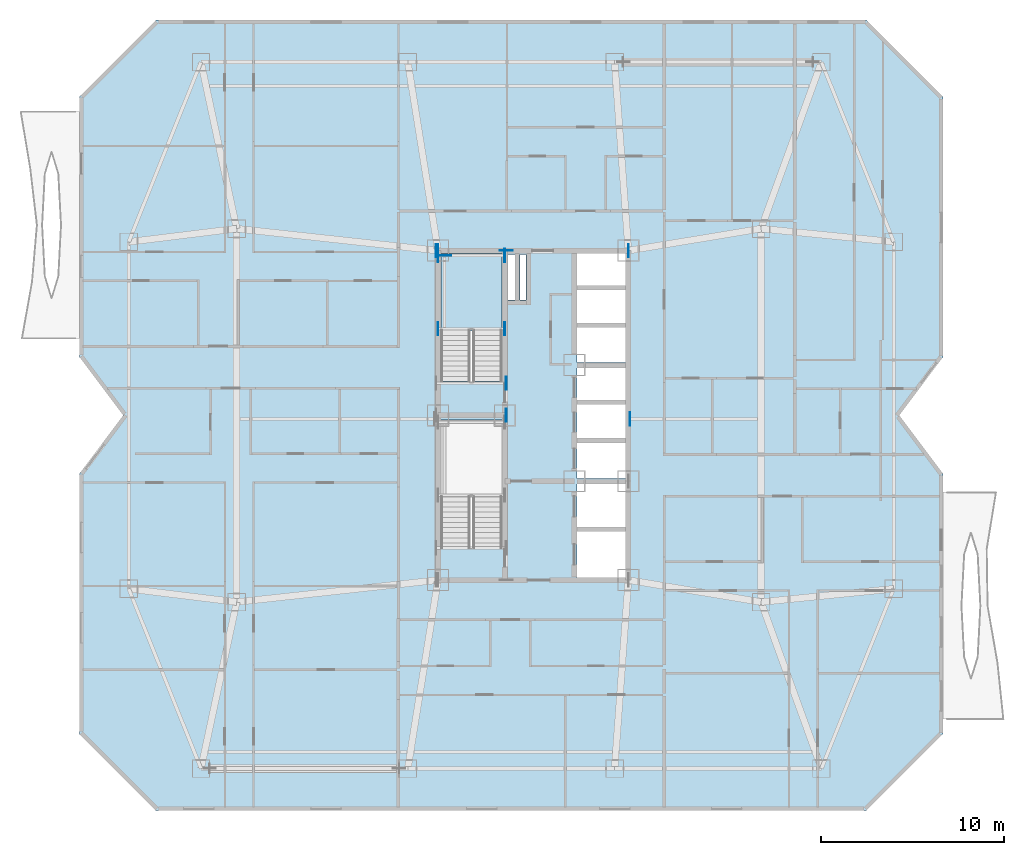
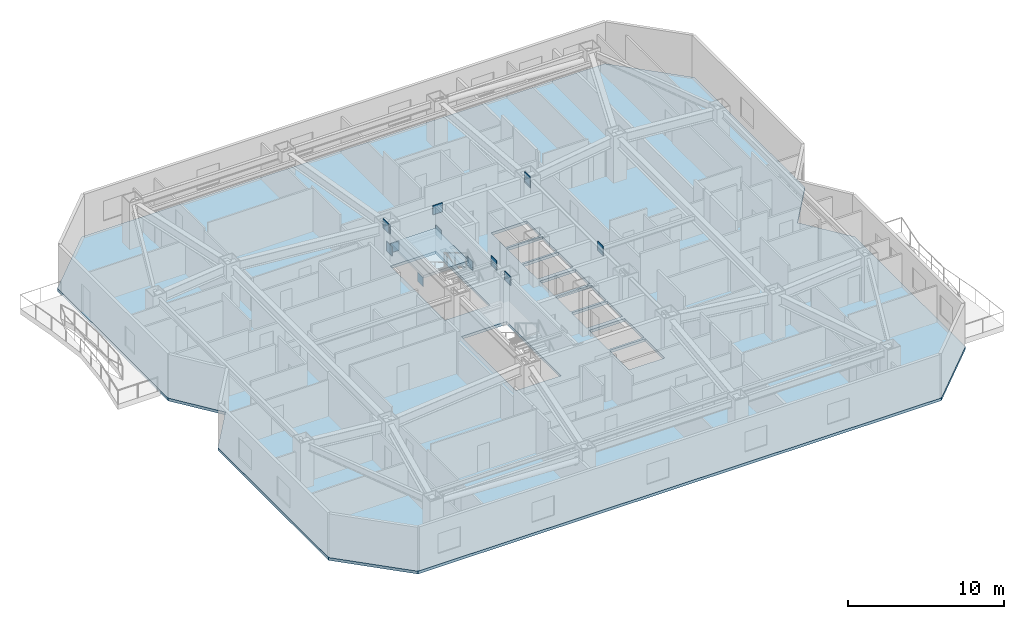
# One storey, part 3 of 14: 13 plates, 2 slabs, 1 element without a shape of its own.
"""IFC4 building model written with IfcOpenShell, lengths in metres."""

import ifcopenshell
import ifcopenshell.guid

model = None  # the IFC model being written
_history = None  # IfcOwnerHistory: only IFC2X3 demands one
_inside = {}  # id of a spatial element -> (the spatial element, [elements in it])
_under = {}  # id of a project, library or spatial element -> (it, [spatial elements below it])
_declared = {}  # id of a project -> (the project, [libraries it declares])
_typed = {}  # id of a type object -> (the type object, [elements of that type])
_made_of = {}  # id of a material, layer set ... -> (it, [elements and type objects made of it])


def new_model(schema):
    """Start an empty IFC model of exactly this schema.

    Asked for "IFC4X3", IfcOpenShell would pick the latest addendum, in which some entities
    have other attributes; the version numbers below select the first issue.
    IFC2X3 requires an IfcOwnerHistory on every rooted entity: one is made here for all.
    """
    global model, _history
    if schema == "IFC4X3":
        model = ifcopenshell.file(schema_version=(4, 3, 0, 0))
    else:
        model = ifcopenshell.file(schema=schema)
    _inside.clear()
    _under.clear()
    _declared.clear()
    _typed.clear()
    _made_of.clear()
    _history = None
    if model.schema == "IFC2X3":
        org = make("IfcOrganization", Name="unknown")
        user = make(
            "IfcPersonAndOrganization",
            ThePerson=make("IfcPerson", FamilyName="unknown"),
            TheOrganization=org,
        )
        app = make(
            "IfcApplication",
            ApplicationDeveloper=org,
            Version="unknown",
            ApplicationFullName="unknown",
            ApplicationIdentifier="unknown",
        )
        _history = make(
            "IfcOwnerHistory",
            OwningUser=user,
            OwningApplication=app,
            ChangeAction="ADDED",
            CreationDate=0,
        )
    return model


def make(cls, **values):
    """One entity of the class cls with the attributes given. An attribute that is None is left unset."""
    return model.create_entity(
        cls, **{name: value for name, value in values.items() if value is not None}
    )


def rooted(cls, **values):
    """An entity with a GlobalId (a new one), such as an element, a storey or a relation."""
    return make(cls, GlobalId=ifcopenshell.guid.new(), OwnerHistory=_history, **values)


def si_unit(unit_type, name, prefix=None):
    """IfcSIUnit, for example si_unit("LENGTHUNIT", "METRE", prefix="MILLI")."""
    return make("IfcSIUnit", UnitType=unit_type, Prefix=prefix, Name=name)


def assignment(units):
    """IfcUnitAssignment: the units of a project."""
    return None if units is None else make("IfcUnitAssignment", Units=units)


def point(xyz):
    """IfcCartesianPoint."""
    return None if xyz is None else make("IfcCartesianPoint", Coordinates=xyz)


def direction(xyz):
    """IfcDirection."""
    return None if xyz is None else make("IfcDirection", DirectionRatios=xyz)


def frame(location, z_axis=None, x_axis=None):
    """IfcAxis2Placement3D, a coordinate frame: its origin and axes. An axis left out is left unset."""
    return make(
        "IfcAxis2Placement3D",
        Location=point(location),
        Axis=direction(z_axis),
        RefDirection=direction(x_axis),
    )


def frame_2d(location, x_axis=None):
    """IfcAxis2Placement2D, a coordinate frame in the plane: its origin and x axis."""
    return make(
        "IfcAxis2Placement2D", Location=point(location), RefDirection=direction(x_axis)
    )


def origin():
    """The frame at (0, 0, 0) with its axes left unset."""
    return frame((0.0, 0.0, 0.0))


def origin_2d():
    """The frame at (0, 0) in the plane with its x axis left unset."""
    return frame_2d((0.0, 0.0))


def place(relative_to, where):
    """IfcLocalPlacement: puts the frame where relative to a parent placement (None: the world)."""
    return make(
        "IfcLocalPlacement", PlacementRelTo=relative_to, RelativePlacement=where
    )


def context(
    kind, dimensions, precision=None, world=None, true_north=None, identifier=None
):
    """IfcGeometricRepresentationContext, for example the 3D "Model" context."""
    return make(
        "IfcGeometricRepresentationContext",
        ContextIdentifier=identifier,
        ContextType=kind,
        CoordinateSpaceDimension=dimensions,
        Precision=precision,
        WorldCoordinateSystem=world,
        TrueNorth=true_north,
    )


def subcontext(parent, identifier, kind, view, scale=None):
    """IfcGeometricRepresentationSubContext, for example "Body" below "Model"."""
    return make(
        "IfcGeometricRepresentationSubContext",
        ContextIdentifier=identifier,
        ContextType=kind,
        ParentContext=parent,
        TargetScale=scale,
        TargetView=view,
    )


def project(units=None, contexts=None):
    """IfcProject with its units and contexts."""
    return rooted(
        "IfcProject",
        Name="project",
        RepresentationContexts=contexts,
        UnitsInContext=assignment(units),
    )


def spatial(cls, under=None, at=None, **own):
    """A site, building, storey or space (cls), placed at a placement, below another one or the project."""
    s = rooted(cls, ObjectPlacement=at, **own)
    if under is not None:
        _under.setdefault(under.id(), (under, []))[1].append(s)
    return s


def polyline(points):
    """IfcPolyline through the points."""
    return make("IfcPolyline", Points=[point(p) for p in points])


def profile(cls, at=None, kind="AREA", **sizes):
    """A parametric profile (cls). Its sizes go by their IFC names, for example OverallWidth=200.0."""
    return make(cls, ProfileType=kind, Position=at, **sizes)


def rectangle(**sizes):
    """IfcRectangleProfileDef."""
    return profile("IfcRectangleProfileDef", **sizes)


def outline(outer, holes=None, kind="AREA"):
    """IfcArbitraryClosedProfileDef: a profile drawn as a closed curve; with holes, ...WithVoids."""
    if holes is None:
        return make("IfcArbitraryClosedProfileDef", ProfileType=kind, OuterCurve=outer)
    return make(
        "IfcArbitraryProfileDefWithVoids",
        ProfileType=kind,
        OuterCurve=outer,
        InnerCurves=holes,
    )


def extrude(swept, where, along, depth):
    """IfcExtrudedAreaSolid: the profile swept, set in the frame where, extruded along a direction by depth."""
    return make(
        "IfcExtrudedAreaSolid",
        SweptArea=swept,
        Position=where,
        ExtrudedDirection=direction(along),
        Depth=depth,
    )


def shape(context_of_items, identifier, shape_type, items):
    """IfcShapeRepresentation: the items that make up one representation, for example the "Body"."""
    return make(
        "IfcShapeRepresentation",
        ContextOfItems=context_of_items,
        RepresentationIdentifier=identifier,
        RepresentationType=shape_type,
        Items=items,
    )


def material(Name=None, Category=None):
    """IfcMaterial."""
    return make("IfcMaterial", Name=Name, Category=Category)


def layer(
    of_material, thickness, ventilated=None, Name=None, Category=None, Priority=None
):
    """IfcMaterialLayer: one layer of a wall or slab, of a material (None: an air gap)."""
    return make(
        "IfcMaterialLayer",
        Material=of_material,
        LayerThickness=thickness,
        IsVentilated=ventilated,
        Name=Name,
        Category=Category,
        Priority=Priority,
    )


def layer_set(layers, Name=None):
    """IfcMaterialLayerSet."""
    return make("IfcMaterialLayerSet", MaterialLayers=layers, LayerSetName=Name)


def made_of(thing, what):
    """Note that an element or type object is made of a material, layer set ...; save() writes the relation."""
    if what is not None:
        _made_of.setdefault(what.id(), (what, []))[1].append(thing)
    return thing


def type_object(cls, material=None, **own):
    """A type object (cls), such as IfcWallType, which elements share."""
    return made_of(rooted(cls, **own), material)


def element(
    cls,
    number,
    at=None,
    inside=None,
    cuts=None,
    type_object=None,
    material=None,
    context=None,
    identifier="Body",
    shape_type=None,
    held_by="IfcProductDefinitionShape",
    body=None,
    shapes=None,
    **own,
):
    """One element of the class cls, such as IfcWall. Its Tag is "e" and its number.

    at: its placement. inside: the storey or other place that contains it. cuts: it is an
    opening in that element (IfcRelVoidsElement). A single representation is given by context,
    identifier, shape_type and body (its items); several are given by shapes. held_by: the class
    of the entity that holds the representations. save() writes the other relations.
    """
    e = rooted(cls, Tag="e%d" % number, ObjectPlacement=at, **own)
    if body is not None:
        shapes = [shape(context, identifier, shape_type, body)]
    if shapes is not None:
        e.Representation = make(held_by, Representations=shapes)
    if inside is not None:
        _inside.setdefault(inside.id(), (inside, []))[1].append(e)
    if cuts is not None:
        rooted(
            "IfcRelVoidsElement", RelatingBuildingElement=cuts, RelatedOpeningElement=e
        )
    if type_object is not None:
        _typed.setdefault(type_object.id(), (type_object, []))[1].append(e)
    return made_of(e, material)


def aggregate(whole, parts):
    """IfcRelAggregates: a whole, such as a stair, and the parts it consists of."""
    return rooted("IfcRelAggregates", RelatingObject=whole, RelatedObjects=parts)


def save(model, path):
    """Write the relations noted so far, then the file.

    IfcRelAggregates (storeys below a building ...), IfcRelContainedInSpatialStructure (elements
    in a storey), IfcRelDefinesByType, IfcRelAssociatesMaterial and IfcRelDeclares: one each for
    every whole, place, type object, material and project.
    """
    for whole, parts in _under.values():
        aggregate(whole, parts)
    for where, things in _inside.values():
        rooted(
            "IfcRelContainedInSpatialStructure",
            RelatedElements=things,
            RelatingStructure=where,
        )
    for kind, things in _typed.values():
        rooted("IfcRelDefinesByType", RelatedObjects=things, RelatingType=kind)
    for what, things in _made_of.values():
        rooted("IfcRelAssociatesMaterial", RelatedObjects=things, RelatingMaterial=what)
    for by, libraries in _declared.values():
        rooted("IfcRelDeclares", RelatingContext=by, RelatedDefinitions=libraries)
    model.write(path)


model = new_model("IFC4")

# Units and contexts
model_context = context("Model", 3, precision=1e-05, world=origin(), true_north=direction((0.0, 1.0)))
body_context = subcontext(model_context, "Body", "Model", "MODEL_VIEW")
ifc_project = project(units=[si_unit("LENGTHUNIT", "METRE"), si_unit("AREAUNIT", "SQUARE_METRE"), si_unit("VOLUMEUNIT", "CUBIC_METRE"), si_unit("PLANEANGLEUNIT", "RADIAN"), si_unit("MASSUNIT", "GRAM", prefix="KILO")], contexts=[model_context])

# Site, building, storey
site_placement = place(None, origin())
site = spatial("IfcSite", under=ifc_project, at=site_placement, CompositionType="ELEMENT")
building_placement = place(site_placement, origin())
building = spatial("IfcBuilding", under=site, at=building_placement, Name="Khamvora Tower", CompositionType="ELEMENT")
storey_placement = place(building_placement, frame((0.0, 0.0, 123.800048828125)))
storey = spatial("IfcBuildingStorey", under=building, at=storey_placement, Name="L31", CompositionType="ELEMENT", Elevation=123.800048828125)

# Plates
ifc_material_1 = material(Name="Steel S460", Category="steel")
ifc_layer_1 = layer(ifc_material_1, 0.034912109375)
ifc_layer_set_1 = layer_set([ifc_layer_1], Name="Steel S460")
plate_type = type_object("IfcPlateType", Name="PL-EMB-35", PredefinedType="SHEET", material=ifc_layer_set_1)
for number, where, z_axis, x_axis, name in (
    (1, (29.0, 32.735107421875, 1.1337890625), (0.0, 0.0, 1.0), (1.0, 0.0, 0.0), "L31 core shear wall cast-in embed plate 0912"),
    (2, (32.64990234375, 32.735107421875, 1.1337890625), (0.0, 0.0, 1.0), (1.0, 0.0, 0.0), "L31 core shear wall cast-in embed plate 0913"),
    (3, (29.0, 36.72998046875, 1.1337890625), (0.0, 0.0, 1.0), (1.0, 0.0, 0.0), "L31 core shear wall cast-in embed plate 0914"),
    (4, (32.64990234375, 36.72998046875, 1.1337890625), (0.0, 0.0, 1.0), (1.0, 0.0, 0.0), "L31 core shear wall cast-in embed plate 0915"),
):
    element("IfcPlate", number, at=place(storey_placement, frame(where, z_axis=z_axis, x_axis=x_axis)), inside=storey, type_object=plate_type, Name=name, PredefinedType="SHEET", context=body_context, shape_type="SweptSolid", body=[
        extrude(rectangle(XDim=0.034912109375, YDim=0.719970703125, at=origin_2d()), origin(), (0.0, 0.0, 1.0), 0.719970703125),
    ])
plate_1_placement = place(storey_placement, frame((29.35009765625, 36.72998046875, 1.1337890625), z_axis=(0.0, 0.0, 1.0), x_axis=(1.0, 0.0, 0.0)))
element("IfcPlate", 5, at=plate_1_placement, inside=storey, type_object=plate_type, Name="L31 core shear wall cast-in embed plate 0916", PredefinedType="SHEET", context=body_context, shape_type="SweptSolid", body=[
    extrude(rectangle(XDim=0.719970703125, YDim=0.034912109375, at=origin_2d()), origin(), (0.0, 0.0, 1.0), 0.719970703125),
])
for number, where, z_axis, x_axis, name in (
    (6, (29.0, 37.0, 2.68408203125), (0.0, 0.0, 1.0), (1.0, 0.0, 0.0), "L31 core shear wall cast-in embed plate 0919"),
    (7, (39.39990234375, 37.0, 2.68408203125), (0.0, 0.0, 1.0), (1.0, 0.0, 0.0), "L31 core shear wall cast-in embed plate 0920"),
    (8, (28.89990234375, 37.0, 2.80419921875), (0.0, 0.0, 1.0), (1.0, 0.0, 0.0), "L31 core shear wall cast-in embed plate 0923"),
    (9, (32.72998046875, 28.0, 2.80419921875), (0.0, 0.0, 1.0), (1.0, 0.0, 0.0), "L31 core shear wall cast-in embed plate 0925"),
):
    element("IfcPlate", number, at=place(storey_placement, frame(where, z_axis=z_axis, x_axis=x_axis)), inside=storey, type_object=plate_type, Name=name, PredefinedType="SHEET", context=body_context, shape_type="SweptSolid", body=[
        extrude(rectangle(XDim=0.034912109375, YDim=0.719970703125, at=origin_2d()), origin(), (0.0, 0.0, 1.0), 0.719970703125),
    ])
plate_2_placement = place(storey_placement, frame((32.72998046875, 37.0, 2.80419921875), z_axis=(0.0, 0.0, 1.0), x_axis=(1.0, 0.0, 0.0)))
element("IfcPlate", 10, at=plate_2_placement, inside=storey, type_object=plate_type, Name="L31 core shear wall cast-in embed plate 0926", PredefinedType="SHEET", context=body_context, shape_type="SweptSolid", body=[
    extrude(rectangle(XDim=0.719970703125, YDim=0.034912109375, at=origin_2d()), origin(), (0.0, 0.0, 1.0), 0.719970703125),
])
for number, where, z_axis, x_axis, name in (
    (11, (39.39990234375, 37.0, 2.80419921875), (0.0, 0.0, 1.0), (1.0, 0.0, 0.0), "L31 core shear wall cast-in embed plate 0929"),
    (12, (32.72998046875, 29.75, 2.94384765625), (0.0, 0.0, 1.0), (1.0, 0.0, 0.0), "L31 core shear wall cast-in embed plate 0933"),
    (13, (39.4990234375, 27.800048828125, 2.89306640625), (0.0, 0.0, 1.0), (1.0, 0.0, 0.0), "L31 core shear wall cast-in embed plate 0935"),
):
    element("IfcPlate", number, at=place(storey_placement, frame(where, z_axis=z_axis, x_axis=x_axis)), inside=storey, type_object=plate_type, Name=name, PredefinedType="SHEET", context=body_context, shape_type="SweptSolid", body=[
        extrude(rectangle(XDim=0.034912109375, YDim=0.719970703125, at=origin_2d()), origin(), (0.0, 0.0, 1.0), 0.719970703125),
    ])

# Stair, slab
ifc_material_2 = material(Name="Concrete C40/50", Category="concrete")
stair_type = type_object("IfcStairType", Name="STR-ST-02", PredefinedType="HALF_TURN_STAIR", material=ifc_material_2)
stair_placement = place(storey_placement, origin())
stair = element("IfcStair", 14, at=stair_placement, inside=storey, type_object=stair_type, Name="L31 North Tower Exit Stair ST-02", PredefinedType="HALF_TURN_STAIR")
ifc_layer_2 = layer(ifc_material_2, 0.199951171875)
ifc_layer_set_2 = layer_set([ifc_layer_2], Name="Concrete C40/50")
slab_type_1 = type_object("IfcSlabType", Name="SLB-LND-200", PredefinedType="LANDING", material=ifc_layer_set_2)
slab_1_placement = place(storey_placement, frame((0.0, 0.0, 1.625)))
slab_1 = element("IfcSlab", 15, at=slab_1_placement, type_object=slab_type_1, Name="ST-02 landing 1", PredefinedType="LANDING", context=body_context, shape_type="SweptSolid", body=[
    extrude(outline(polyline([(32.5, 32.614990234375), (32.5, 36.85009765625), (29.14990234375, 36.85009765625), (29.14990234375, 32.614990234375), (32.5, 32.614990234375)])), origin(), (0.0, 0.0, 1.0), 0.199951171875),
])
aggregate(stair, [slab_1])

# Slab
ifc_material_3 = material(Name="Concrete C35/45", Category="concrete")
ifc_layer_3 = layer(ifc_material_3, 0.219970703125)
ifc_layer_set_3 = layer_set([ifc_layer_3], Name="Concrete C35/45")
slab_type_2 = type_object("IfcSlabType", Name="SLB-TYP-220", PredefinedType="FLOOR", material=ifc_layer_set_3)
slab_2_placement = place(storey_placement, frame((0.0, 0.0, -0.219970703125)))
element("IfcSlab", 16, at=slab_2_placement, inside=storey, type_object=slab_type_2, Name="L31 structural floor slab", PredefinedType="FLOOR", context=body_context, shape_type="SweptSolid", body=[
    extrude(outline(polyline([(13.60009765625, 6.39990234375), (52.39990234375, 6.39990234375), (56.60009765625, 10.60009765625), (56.60009765625, 24.800048828125), (54.199951171875, 28.0), (56.60009765625, 31.199951171875), (56.60009765625, 45.39990234375), (52.39990234375, 49.60009765625), (13.60009765625, 49.60009765625), (9.39990234375, 45.39990234375), (9.39990234375, 31.199951171875), (11.800048828125, 28.0), (9.39990234375, 24.800048828125), (9.39990234375, 10.60009765625), (13.60009765625, 6.39990234375)]), holes=[polyline([(32.5, 20.760009765625), (32.5, 27.75), (29.14990234375, 27.75), (29.14990234375, 20.760009765625), (32.5, 20.760009765625)]), polyline([(32.5, 29.860107421875), (32.5, 36.85009765625), (29.14990234375, 36.85009765625), (29.14990234375, 29.860107421875), (32.5, 29.860107421875)]), polyline([(36.60009765625, 19.14990234375), (39.25, 19.14990234375), (39.25, 21.64990234375), (36.60009765625, 21.64990234375), (36.60009765625, 19.14990234375)]), polyline([(36.60009765625, 21.800048828125), (39.25, 21.800048828125), (39.25, 24.25), (36.60009765625, 24.25), (36.60009765625, 21.800048828125)]), polyline([(36.60009765625, 24.550048828125), (39.25, 24.550048828125), (39.25, 26.5), (36.60009765625, 26.5), (36.60009765625, 24.550048828125)]), polyline([(36.60009765625, 26.64990234375), (39.25, 26.64990234375), (39.25, 28.60009765625), (36.60009765625, 28.60009765625), (36.60009765625, 26.64990234375)]), polyline([(36.60009765625, 28.75), (39.25, 28.75), (39.25, 30.60009765625), (36.60009765625, 30.60009765625), (36.60009765625, 28.75)]), polyline([(36.60009765625, 30.89990234375), (39.25, 30.89990234375), (39.25, 32.800048828125), (36.60009765625, 32.800048828125), (36.60009765625, 30.89990234375)]), polyline([(36.60009765625, 32.949951171875), (39.25, 32.949951171875), (39.25, 34.85009765625), (36.60009765625, 34.85009765625), (36.60009765625, 32.949951171875)]), polyline([(36.60009765625, 35.0), (39.25, 35.0), (39.25, 36.85009765625), (36.60009765625, 36.85009765625), (36.60009765625, 35.0)]), polyline([(32.800048828125, 34.300048828125), (33.199951171875, 34.300048828125), (33.199951171875, 36.800048828125), (32.800048828125, 36.800048828125), (32.800048828125, 34.300048828125)]), polyline([(33.47998046875, 34.300048828125), (33.820068359375, 34.300048828125), (33.820068359375, 36.800048828125), (33.47998046875, 36.800048828125), (33.47998046875, 34.300048828125)])]), origin(), (0.0, 0.0, 1.0), 0.219970703125),
])

save(model, "model.ifc")
